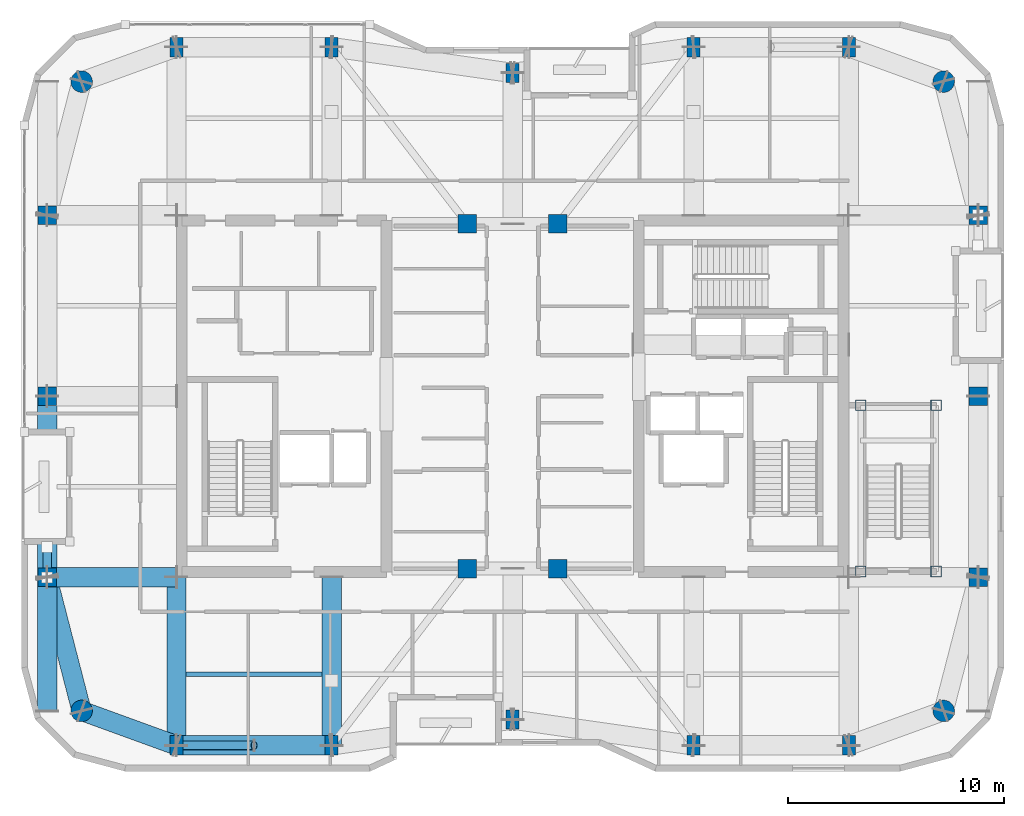
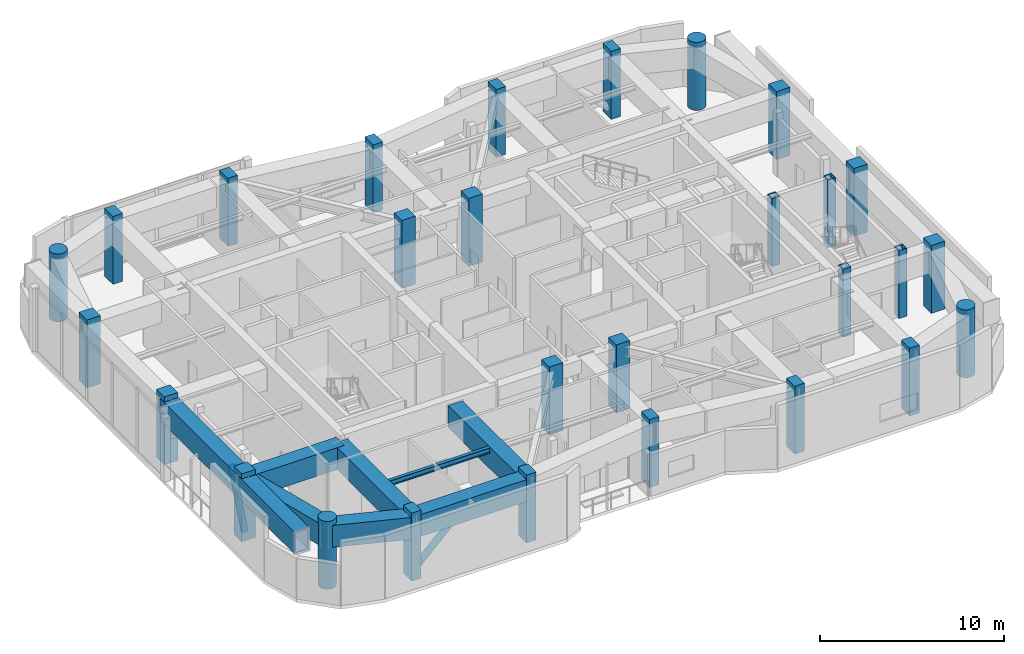
# One storey, part 1 of 17: 28 columns, 9 beams, 2 members.
"""IFC4 building model written with IfcOpenShell, lengths in metres."""

from ifc_helpers import new_model, si_unit, direction, frame, origin, origin_2d, place, context, subcontext, project, spatial, rectangle, hollow_rectangle, circle, hollow_circle, i_section, extrude, material, material_profile, profile_set, type_object, element, save


model = new_model("IFC4")

# Units and contexts
model_context = context("Model", 3, precision=1e-05, world=origin(), true_north=direction((0.0, 1.0)))
body_context = subcontext(model_context, "Body", "Model", "MODEL_VIEW")
ifc_project = project(units=[si_unit("LENGTHUNIT", "METRE"), si_unit("AREAUNIT", "SQUARE_METRE"), si_unit("VOLUMEUNIT", "CUBIC_METRE"), si_unit("PLANEANGLEUNIT", "RADIAN"), si_unit("MASSUNIT", "GRAM", prefix="KILO")], contexts=[model_context])

# Site, building, storey
site_placement = place(None, origin())
site = spatial("IfcSite", under=ifc_project, at=site_placement, CompositionType="ELEMENT")
building_placement = place(site_placement, origin())
building = spatial("IfcBuilding", under=site, at=building_placement, Name="Kiyonajd Concourse Tower", CompositionType="ELEMENT")
storey_placement = place(building_placement, frame((0.0, 0.0, 350.39990234375)))
storey = spatial("IfcBuildingStorey", under=building, at=storey_placement, Name="L88", CompositionType="ELEMENT", Elevation=350.39990234375)

# Columns
ifc_material_1 = material(Name="Concrete C60/75", Category="concrete")
ifc_material_profile_1 = material_profile(ifc_material_1, rectangle(XDim=0.60009765625, YDim=0.89990234375, at=origin_2d()), Name="RC-900x600")
ifc_profile_set_1 = profile_set([ifc_material_profile_1], Name="Concrete C60/75")
column_type_1 = type_object("IfcColumnType", Name="CL-BLADE-900", PredefinedType="COLUMN", material=ifc_profile_set_1)
for number, where, z_axis, x_axis, name in (
    (1, (32.39990234375, 19.800048828125, 0.0), (0.0, 0.0, 1.0), (1.0, 0.0, 0.0), "L88 Perimeter Bundled Tube Column"),
    (2, (32.39990234375, 52.199951171875, 0.0), (0.0, 0.0, 1.0), (1.0, 0.0, 0.0), "L88 Perimeter Bundled Tube Column"),
    (3, (39.60009765625, 19.800048828125, 0.0), (0.0, 0.0, 1.0), (1.0, 0.0, 0.0), "L88 Perimeter Bundled Tube Column"),
    (4, (39.60009765625, 52.199951171875, 0.0), (0.0, 0.0, 1.0), (1.0, 0.0, 0.0), "L88 Perimeter Bundled Tube Column"),
    (5, (48.0, 21.0, 0.0), (0.0, 0.0, 1.0), (1.0, 0.0, 0.0), "L88 Perimeter Bundled Tube Column"),
    (6, (48.0, 51.0, 0.0), (0.0, 0.0, 1.0), (1.0, 0.0, 0.0), "L88 Perimeter Bundled Tube Column"),
    (7, (56.39990234375, 19.800048828125, 0.0), (0.0, 0.0, 1.0), (1.0, 0.0, 0.0), "L88 Perimeter Bundled Tube Column"),
    (8, (56.39990234375, 52.199951171875, 0.0), (0.0, 0.0, 1.0), (1.0, 0.0, 0.0), "L88 Perimeter Bundled Tube Column"),
    (9, (63.60009765625, 19.800048828125, 0.0), (0.0, 0.0, 1.0), (1.0, 0.0, 0.0), "L88 Perimeter Bundled Tube Column"),
    (10, (63.60009765625, 52.199951171875, 0.0), (0.0, 0.0, 1.0), (1.0, 0.0, 0.0), "L88 Perimeter Bundled Tube Column"),
):
    element("IfcColumn", number, at=place(storey_placement, frame(where, z_axis=z_axis, x_axis=x_axis)), inside=storey, type_object=column_type_1, Name=name, PredefinedType="COLUMN", context=body_context, shape_type="SweptSolid", body=[
        extrude(rectangle(XDim=0.60009765625, YDim=0.89990234375, at=origin_2d()), origin(), (0.0, 0.0, 1.0), 4.5),
    ])
ifc_material_2 = material(Name="Steel ASTM A572 Grade 50", Category="steel")
ifc_material_profile_2 = material_profile(ifc_material_2, hollow_rectangle(XDim=0.5, YDim=0.5, WallThickness=0.02490234375, at=origin_2d()), Name="HSS-500x500x25")
ifc_profile_set_2 = profile_set([ifc_material_profile_2], Name="Steel ASTM A572 Grade 50")
column_type_2 = type_object("IfcColumnType", Name="CL-PIL-600", PredefinedType="PILASTER", material=ifc_profile_set_2)
for number, where, z_axis, x_axis, name in (
    (11, (64.14990234375, 27.8701171875, 0.0), (0.0, 0.0, 1.0), (1.0, 0.0, 0.0), "L88 Crown Stair Support Column"),
    (12, (67.64990234375, 27.8701171875, 0.0), (0.0, 0.0, 1.0), (1.0, 0.0, 0.0), "L88 Crown Stair Support Column"),
    (13, (64.14990234375, 35.580078125, 0.0), (0.0, 0.0, 1.0), (1.0, 0.0, 0.0), "L88 Crown Stair Support Column"),
    (14, (67.64990234375, 35.580078125, 0.0), (0.0, 0.0, 1.0), (1.0, 0.0, 0.0), "L88 Crown Stair Support Column"),
):
    element("IfcColumn", number, at=place(storey_placement, frame(where, z_axis=z_axis, x_axis=x_axis)), inside=storey, type_object=column_type_2, Name=name, PredefinedType="PILASTER", context=body_context, shape_type="SweptSolid", body=[
        extrude(hollow_rectangle(XDim=0.5, YDim=0.5, WallThickness=0.02490234375, at=origin_2d()), origin(), (0.0, 0.0, 1.0), 4.5),
    ])
ifc_material_profile_3 = material_profile(ifc_material_1, circle(Radius=0.5, at=origin_2d()), Name="RCC-D1000")
ifc_profile_set_3 = profile_set([ifc_material_profile_3], Name="Concrete C60/75")
column_type_3 = type_object("IfcColumnType", Name="CL-RND-1000", PredefinedType="COLUMN", material=ifc_profile_set_3)
for number, where, z_axis, x_axis, name in (
    (15, (28.0, 21.39990234375, 0.0), (0.0, 0.0, 1.0), (1.0, 0.0, 0.0), "L88 Bundled Tube Corner Column South West"),
    (16, (68.0, 21.39990234375, 0.0), (0.0, 0.0, 1.0), (1.0, 0.0, 0.0), "L88 Bundled Tube Corner Column South East"),
    (17, (68.0, 50.60009765625, 0.0), (0.0, 0.0, 1.0), (1.0, 0.0, 0.0), "L88 Bundled Tube Corner Column North East"),
    (18, (28.0, 50.60009765625, 0.0), (0.0, 0.0, 1.0), (1.0, 0.0, 0.0), "L88 Bundled Tube Corner Column North West"),
):
    element("IfcColumn", number, at=place(storey_placement, frame(where, z_axis=z_axis, x_axis=x_axis)), inside=storey, type_object=column_type_3, Name=name, PredefinedType="COLUMN", context=body_context, shape_type="SweptSolid", body=[
        extrude(circle(Radius=0.5, at=origin_2d()), origin(), (0.0, 0.0, 1.0), 4.5),
    ])
ifc_material_profile_4 = material_profile(ifc_material_1, rectangle(XDim=0.85009765625, YDim=0.85009765625, at=origin_2d()), Name="RC-850x850")
ifc_profile_set_4 = profile_set([ifc_material_profile_4], Name="Concrete C60/75")
column_type_4 = type_object("IfcColumnType", Name="CL-TUBE-850", PredefinedType="COLUMN", material=ifc_profile_set_4)
for number, where, z_axis, x_axis, name in (
    (19, (26.39990234375, 27.60009765625, 0.0), (0.0, 0.0, 1.0), (1.0, 0.0, 0.0), "L88 Perimeter Bundled Tube Column"),
    (20, (69.60009765625, 27.60009765625, 0.0), (0.0, 0.0, 1.0), (1.0, 0.0, 0.0), "L88 Perimeter Bundled Tube Column"),
    (21, (26.39990234375, 36.0, 0.0), (0.0, 0.0, 1.0), (1.0, 0.0, 0.0), "L88 Perimeter Bundled Tube Column"),
    (22, (69.60009765625, 36.0, 0.0), (0.0, 0.0, 1.0), (1.0, 0.0, 0.0), "L88 Perimeter Bundled Tube Column"),
    (23, (26.39990234375, 44.39990234375, 0.0), (0.0, 0.0, 1.0), (1.0, 0.0, 0.0), "L88 Perimeter Bundled Tube Column"),
    (24, (69.60009765625, 44.39990234375, 0.0), (0.0, 0.0, 1.0), (1.0, 0.0, 0.0), "L88 Perimeter Bundled Tube Column"),
    (25, (45.89990234375, 28.0, 0.0), (0.0, 0.0, 1.0), (1.0, 0.0, 0.0), "L88 Core Tie Column South West"),
    (26, (50.10009765625, 28.0, 0.0), (0.0, 0.0, 1.0), (1.0, 0.0, 0.0), "L88 Core Tie Column South East"),
    (27, (45.89990234375, 44.0, 0.0), (0.0, 0.0, 1.0), (1.0, 0.0, 0.0), "L88 Core Tie Column North West"),
    (28, (50.10009765625, 44.0, 0.0), (0.0, 0.0, 1.0), (1.0, 0.0, 0.0), "L88 Core Tie Column North East"),
):
    element("IfcColumn", number, at=place(storey_placement, frame(where, z_axis=z_axis, x_axis=x_axis)), inside=storey, type_object=column_type_4, Name=name, PredefinedType="COLUMN", context=body_context, shape_type="SweptSolid", body=[
        extrude(rectangle(XDim=0.85009765625, YDim=0.85009765625, at=origin_2d()), origin(), (0.0, 0.0, 1.0), 4.5),
    ])

# Beams
ifc_material_3 = material(Name="Steel ASTM A992 Grade 50", Category="steel")
ifc_material_profile_5 = material_profile(ifc_material_3, i_section(OverallWidth=0.205078125, OverallDepth=0.35400390625, WebThickness=0.009521484375, FlangeThickness=0.016845703125, at=origin_2d()), Name="W360X79")
ifc_profile_set_5 = profile_set([ifc_material_profile_5], Name="Steel ASTM A992 Grade 50")
beam_type_1 = type_object("IfcBeamType", Name="BM-JST-360", PredefinedType="JOIST", material=ifc_profile_set_5)
beam_1_placement = place(storey_placement, frame((32.85009765625, 23.10009765625, 3.983154296875), z_axis=(1.0, 0.0, 0.0), x_axis=(0.0, 1.0, 0.0)))
element("IfcBeam", 29, at=beam_1_placement, inside=storey, type_object=beam_type_1, Name="L88 Secondary Floor Joist", PredefinedType="JOIST", context=body_context, shape_type="SweptSolid", body=[
    extrude(i_section(OverallWidth=0.205078125, OverallDepth=0.35400390625, WebThickness=0.009521484375, FlangeThickness=0.016845703125, at=origin_2d()), origin(), (0.0, 0.0, 1.0), 6.2998046875),
])
ifc_material_profile_6 = material_profile(ifc_material_2, hollow_rectangle(XDim=0.89990234375, YDim=1.449951171875, WallThickness=0.074951171875, at=origin_2d()), Name="BOX-1450x900x75")
ifc_profile_set_6 = profile_set([ifc_material_profile_6], Name="Steel ASTM A572 Grade 50")
beam_type_2 = type_object("IfcBeamType", Name="BM-XFER-1800", PredefinedType="BEAM", material=ifc_profile_set_6)
beam_2_placement = place(storey_placement, frame((26.39990234375, 27.60009765625, 3.43505859375), z_axis=(0.249884937687, -0.968275538221, 0.0), x_axis=(0.968275538221, 0.249884937687, 0.0)))
element("IfcBeam", 30, at=beam_2_placement, inside=storey, type_object=beam_type_2, Name="L88 Perimeter Bundled Tube Spandrel", PredefinedType="BEAM", context=body_context, shape_type="SweptSolid", body=[
    extrude(hollow_rectangle(XDim=0.89990234375, YDim=1.449951171875, WallThickness=0.074951171875, at=origin_2d()), origin(), (0.0, 0.0, 1.0), 6.4033203125),
])
beam_3_placement = place(storey_placement, frame((28.0, 21.39990234375, 3.43505859375), z_axis=(0.939801036019, -0.341722127901, 0.0), x_axis=(0.341722127901, 0.939801036019, 0.0)))
element("IfcBeam", 31, at=beam_3_placement, inside=storey, type_object=beam_type_2, Name="L88 Perimeter Bundled Tube Spandrel", PredefinedType="BEAM", context=body_context, shape_type="SweptSolid", body=[
    extrude(hollow_rectangle(XDim=0.89990234375, YDim=1.449951171875, WallThickness=0.074951171875, at=origin_2d()), origin(), (0.0, 0.0, 1.0), 4.681640625),
])
beam_4_placement = place(storey_placement, frame((32.39990234375, 19.800048828125, 3.47509765625), z_axis=(1.0, 0.0, 0.0), x_axis=(0.0, 1.0, 0.0)))
element("IfcBeam", 32, at=beam_4_placement, inside=storey, type_object=beam_type_2, Name="L88 Perimeter Bundled Tube Spandrel", PredefinedType="BEAM", context=body_context, shape_type="SweptSolid", body=[
    extrude(hollow_rectangle(XDim=0.89990234375, YDim=1.449951171875, WallThickness=0.074951171875, at=origin_2d()), origin(), (0.0, 0.0, 1.0), 7.2001953125),
])
beam_5_placement = place(storey_placement, frame((26.39990234375, 36.0, 3.43505859375), z_axis=(0.0, -1.0, 0.0), x_axis=(1.0, 0.0, 0.0)))
element("IfcBeam", 33, at=beam_5_placement, inside=storey, type_object=beam_type_2, Name="L88 Perimeter Bundled Tube Spandrel", PredefinedType="BEAM", context=body_context, shape_type="SweptSolid", body=[
    extrude(hollow_rectangle(XDim=0.89990234375, YDim=1.449951171875, WallThickness=0.074951171875, at=origin_2d()), origin(), (0.0, 0.0, 1.0), 8.39990234375),
])
for number, where, z_axis, x_axis, name in (
    (34, (32.39990234375, 19.800048828125, 3.43505859375), (0.0, 1.0, 0.0), (-1.0, 0.0, 0.0), "L88 South Lease Girder"),
    (35, (39.60009765625, 19.800048828125, 3.43505859375), (0.0, 1.0, 0.0), (-1.0, 0.0, 0.0), "L88 South Lease Girder"),
):
    element("IfcBeam", number, at=place(storey_placement, frame(where, z_axis=z_axis, x_axis=x_axis)), inside=storey, type_object=beam_type_2, Name=name, PredefinedType="BEAM", context=body_context, shape_type="SweptSolid", body=[
        extrude(hollow_rectangle(XDim=0.89990234375, YDim=1.449951171875, WallThickness=0.074951171875, at=origin_2d()), origin(), (0.0, 0.0, 1.0), 7.800048828125),
    ])
beam_6_placement = place(storey_placement, frame((26.39990234375, 27.60009765625, 3.43505859375), z_axis=(1.0, 0.0, 0.0), x_axis=(0.0, 1.0, 0.0)))
element("IfcBeam", 36, at=beam_6_placement, inside=storey, type_object=beam_type_2, Name="L88 West Lease Girder", PredefinedType="BEAM", context=body_context, shape_type="SweptSolid", body=[
    extrude(hollow_rectangle(XDim=0.89990234375, YDim=1.449951171875, WallThickness=0.074951171875, at=origin_2d()), origin(), (0.0, 0.0, 1.0), 6.0),
])
beam_7_placement = place(storey_placement, frame((26.39990234375, 21.39990234375, 3.43505859375), z_axis=(0.0, 1.0, 0.0), x_axis=(-1.0, 0.0, 0.0)))
element("IfcBeam", 37, at=beam_7_placement, inside=storey, type_object=beam_type_2, Name="L88 Column Transfer Girder", PredefinedType="BEAM", context=body_context, shape_type="SweptSolid", body=[
    extrude(hollow_rectangle(XDim=0.89990234375, YDim=1.449951171875, WallThickness=0.074951171875, at=origin_2d()), origin(), (0.0, 0.0, 1.0), 6.2001953125),
])

# Members
ifc_material_4 = material(Name="Steel ASTM A500 Grade C", Category="steel")
ifc_material_profile_7 = material_profile(ifc_material_4, hollow_circle(Radius=0.202880859375, WallThickness=0.01904296875, at=origin_2d()), Name="CHS-406x19")
ifc_profile_set_7 = profile_set([ifc_material_profile_7], Name="Steel ASTM A500 Grade C")
member_type = type_object("IfcMemberType", Name="MB-PB-HIGH", PredefinedType="BRACE", material=ifc_profile_set_7)
member_1_placement = place(storey_placement, frame((32.39990234375, 19.800048828125, 0.300048828125), z_axis=(0.712038868151, 0.0, 0.702140050305), x_axis=(0.0, 1.0, 0.0)))
element("IfcMember", 38, at=member_1_placement, inside=storey, type_object=member_type, Name="L88 Upper Zone Hollow Tube Brace PBS", PredefinedType="BRACE", context=body_context, shape_type="SweptSolid", body=[
    extrude(hollow_circle(Radius=0.202880859375, WallThickness=0.01904296875, at=origin_2d()), origin(), (0.0, 0.0, 1.0), 5.05615234375),
])
member_2_placement = place(storey_placement, frame((26.39990234375, 27.60009765625, 0.300048828125), z_axis=(0.0, 0.366841684605, 0.930283386091), x_axis=(-1.0, 0.0, 0.0)))
element("IfcMember", 39, at=member_2_placement, inside=storey, type_object=member_type, Name="L88 Upper Zone Hollow Tube Brace PBW", PredefinedType="BRACE", context=body_context, shape_type="SweptSolid", body=[
    extrude(hollow_circle(Radius=0.202880859375, WallThickness=0.01904296875, at=origin_2d()), origin(), (0.0, 0.0, 1.0), 3.816162109375),
])

save(model, "model.ifc")
